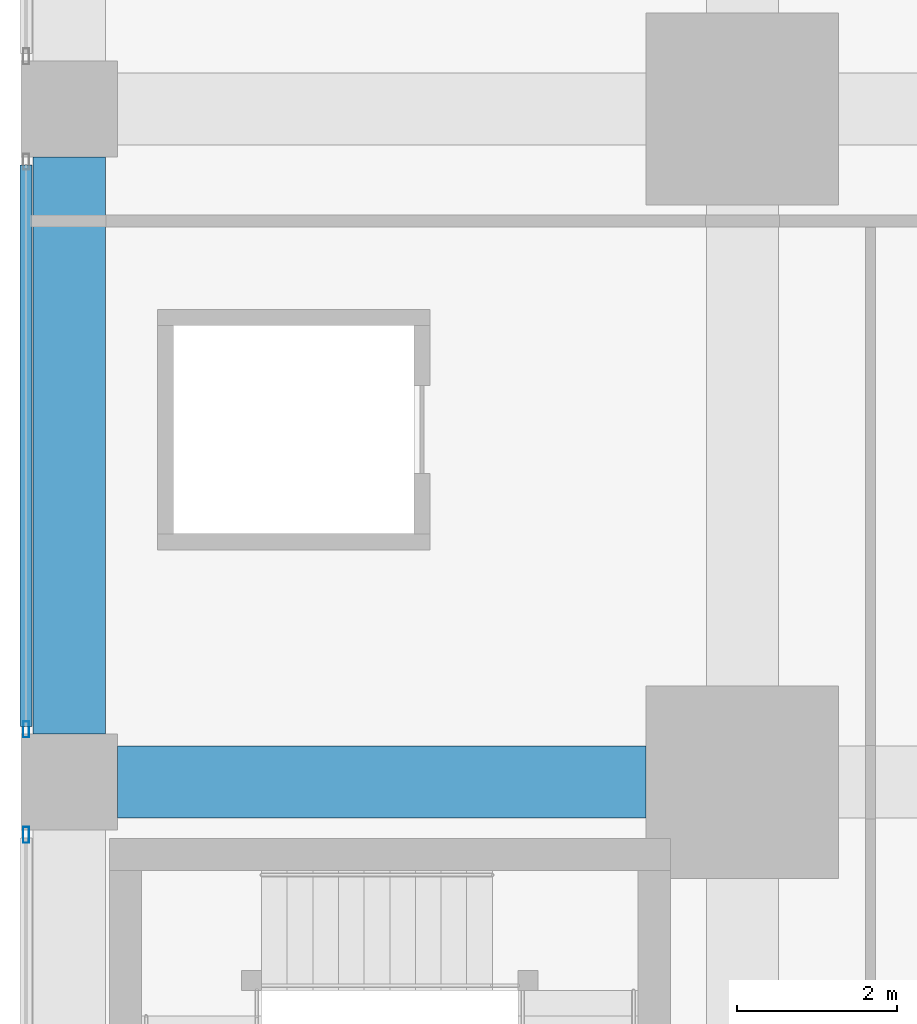
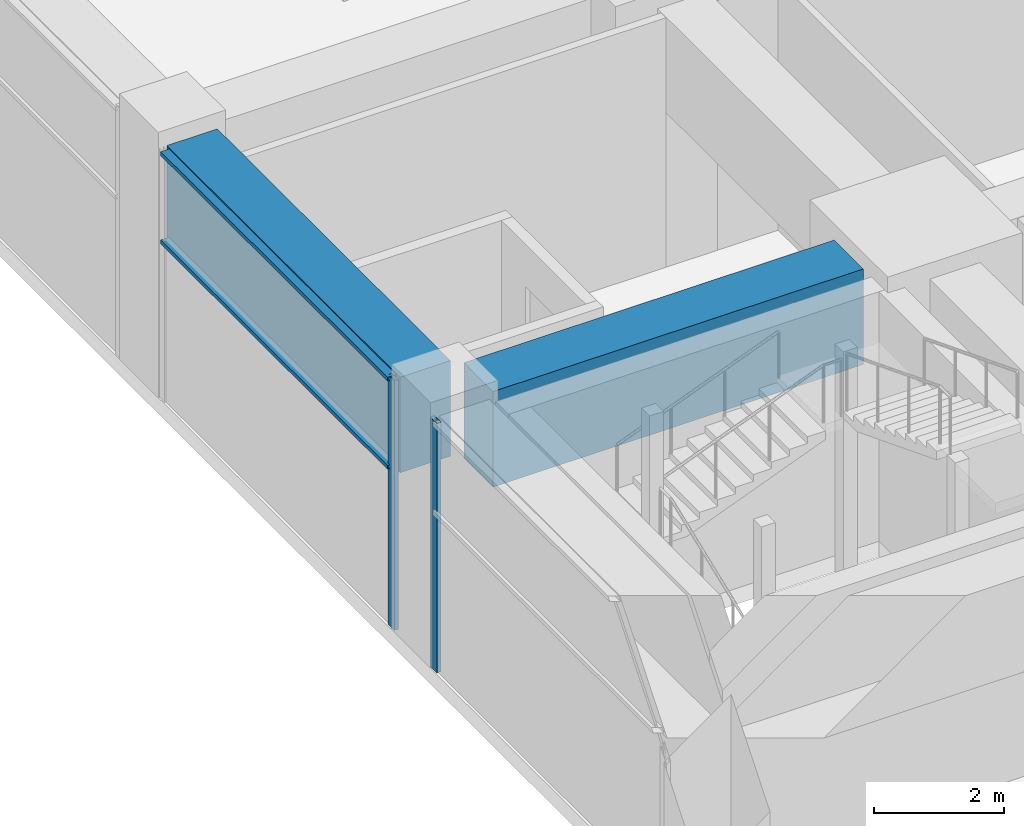
# One storey, part 17 of 49: 4 members, 2 beams, 2 elements without a shape of their own.
"""IFC4 building model written with IfcOpenShell, lengths in metres."""

from ifc_helpers import new_model, si_unit, direction, frame, origin, origin_2d, place, context, subcontext, project, spatial, rectangle, hollow_rectangle, extrude, material, material_profile, profile_set, type_object, element, aggregate, save


model = new_model("IFC4")

# Units and contexts
model_context = context("Model", 3, precision=1e-05, world=origin(), true_north=direction((0.0, 1.0)))
body_context = subcontext(model_context, "Body", "Model", "MODEL_VIEW")
ifc_project = project(units=[si_unit("LENGTHUNIT", "METRE"), si_unit("AREAUNIT", "SQUARE_METRE"), si_unit("VOLUMEUNIT", "CUBIC_METRE"), si_unit("PLANEANGLEUNIT", "RADIAN"), si_unit("MASSUNIT", "GRAM", prefix="KILO")], contexts=[model_context])

# Site, building, storey
site_placement = place(None, origin())
site = spatial("IfcSite", under=ifc_project, at=site_placement, CompositionType="ELEMENT")
building_placement = place(site_placement, origin())
building = spatial("IfcBuilding", under=site, at=building_placement, Name="Rekha Terrace Tower", CompositionType="ELEMENT")
storey_placement = place(building_placement, frame((0.0, 0.0, 5.39990234375)))
storey = spatial("IfcBuildingStorey", under=building, at=storey_placement, Name="L01", CompositionType="ELEMENT", Elevation=5.39990234375)

# Curtain wall, member
ifc_material_1 = material(Name="Aluminium framing", Category="aluminium")
curtain_wall_type = type_object("IfcCurtainWallType", Name="CW4 podium shopfront glazing", PredefinedType="USERDEFINED", material=ifc_material_1)
curtain_wall_1_placement = place(storey_placement, origin())
curtain_wall_1 = element("IfcCurtainWall", 1, at=curtain_wall_1_placement, inside=storey, type_object=curtain_wall_type, Name="CW4 shopfront curtain wall", ObjectType="SHOPFRONT CURTAIN WALL", PredefinedType="USERDEFINED")
ifc_material_2 = material(Name="Aluminium mullion section", Category="aluminium")
ifc_material_profile_1 = material_profile(ifc_material_2, hollow_rectangle(XDim=0.074951171875, YDim=0.199951171875, WallThickness=0.00390625, at=origin_2d()), Name="AL RHS 75x200")
ifc_profile_set_1 = profile_set([ifc_material_profile_1], Name="Aluminium mullion section")
member_type_1 = type_object("IfcMemberType", Name="CW4 mullion RHS 75 x 200", PredefinedType="MULLION", material=ifc_profile_set_1)
member_1_placement = place(storey_placement, frame((-0.5400390625, 34.257568359375, 0.0), z_axis=(0.0, 0.0, 1.0), x_axis=(1.0, 0.0, 0.0)))
member_1 = element("IfcMember", 2, at=member_1_placement, type_object=member_type_1, Name="CW4 mullion 2", PredefinedType="MULLION", context=body_context, shape_type="SweptSolid", body=[
    extrude(hollow_rectangle(XDim=0.074951171875, YDim=0.199951171875, WallThickness=0.00390625, at=origin_2d()), origin(), (0.0, 0.0, 1.0), 4.7001953125),
])

curtain_wall_2_placement = place(storey_placement, origin())
curtain_wall_2 = element("IfcCurtainWall", 3, at=curtain_wall_2_placement, inside=storey, type_object=curtain_wall_type, Name="CW4 shopfront curtain wall", ObjectType="SHOPFRONT CURTAIN WALL", PredefinedType="USERDEFINED")
member_2_placement = place(storey_placement, frame((-0.5400390625, 32.9423828125, 0.0), z_axis=(0.0, 0.0, 1.0), x_axis=(1.0, 0.0, 0.0)))
member_2 = element("IfcMember", 4, at=member_2_placement, type_object=member_type_1, Name="CW4 mullion 1", PredefinedType="MULLION", context=body_context, shape_type="SweptSolid", body=[
    extrude(hollow_rectangle(XDim=0.074951171875, YDim=0.199951171875, WallThickness=0.00390625, at=origin_2d()), origin(), (0.0, 0.0, 1.0), 4.7001953125),
])
aggregate(curtain_wall_2, [member_2])

# Member
ifc_material_3 = material(Name="Aluminium transom section", Category="aluminium")
ifc_material_profile_2 = material_profile(ifc_material_3, hollow_rectangle(XDim=0.14990234375, YDim=0.074951171875, WallThickness=0.0029296875, at=origin_2d()), Name="AL RHS 150x75")
ifc_profile_set_2 = profile_set([ifc_material_profile_2], Name="Aluminium transom section")
member_type_2 = type_object("IfcMemberType", Name="CW4 transom RHS 75 x 150", PredefinedType="USERDEFINED", material=ifc_profile_set_2)
member_3_placement = place(storey_placement, frame((-0.5400390625, 41.304931640625, 3.0), z_axis=(0.0, -1.0, 0.0), x_axis=(1.0, 0.0, 0.0)))
member_3 = element("IfcMember", 5, at=member_3_placement, type_object=member_type_2, Name="CW4 transom 1.2", ObjectType="TRANSOM", PredefinedType="USERDEFINED", context=body_context, shape_type="SweptSolid", body=[
    extrude(hollow_rectangle(XDim=0.14990234375, YDim=0.074951171875, WallThickness=0.0029296875, at=origin_2d()), origin(), (0.0, 0.0, 1.0), 7.010009765625),
])

member_4_placement = place(storey_placement, frame((-0.5400390625, 41.304931640625, 4.66259765625), z_axis=(0.0, -1.0, 0.0), x_axis=(1.0, 0.0, 0.0)))
member_4 = element("IfcMember", 6, at=member_4_placement, type_object=member_type_2, Name="CW4 transom 1.3", ObjectType="TRANSOM", PredefinedType="USERDEFINED", context=body_context, shape_type="SweptSolid", body=[
    extrude(hollow_rectangle(XDim=0.14990234375, YDim=0.074951171875, WallThickness=0.0029296875, at=origin_2d()), origin(), (0.0, 0.0, 1.0), 7.010009765625),
])

aggregate(curtain_wall_1, [member_1, member_3, member_4])

# Beams
ifc_material_4 = material(Name="Concrete M60", Category="concrete")
ifc_material_profile_3 = material_profile(ifc_material_4, rectangle(XDim=0.89990234375, YDim=1.800048828125, at=origin_2d()), Name="RC 900x1800")
ifc_profile_set_3 = profile_set([ifc_material_profile_3], Name="Concrete M60")
beam_type = type_object("IfcBeamType", Name="G1 900x1800 podium floor beam", PredefinedType="BEAM", material=ifc_profile_set_3)
beam_1_placement = place(storey_placement, frame((0.60009765625, 33.60009765625, 3.800048828125), z_axis=(1.0, 0.0, 0.0), x_axis=(0.0, 1.0, 0.0)))
element("IfcBeam", 7, at=beam_1_placement, inside=storey, type_object=beam_type, Name="Beam G1 1E-2E under L02", PredefinedType="BEAM", context=body_context, shape_type="SweptSolid", body=[
    extrude(rectangle(XDim=0.89990234375, YDim=1.800048828125, at=origin_2d()), origin(), (0.0, 0.0, 1.0), 6.599853515625),
])
beam_2_placement = place(storey_placement, frame((0.0, 34.199951171875, 3.800048828125), z_axis=(0.0, 1.0, 0.0), x_axis=(-1.0, 0.0, 0.0)))
element("IfcBeam", 8, at=beam_2_placement, inside=storey, type_object=beam_type, Name="Beam G1 1E-1F under L02", PredefinedType="BEAM", context=body_context, shape_type="SweptSolid", body=[
    extrude(rectangle(XDim=0.89990234375, YDim=1.800048828125, at=origin_2d()), origin(), (0.0, 0.0, 1.0), 7.199951171875),
])

save(model, "model.ifc")
